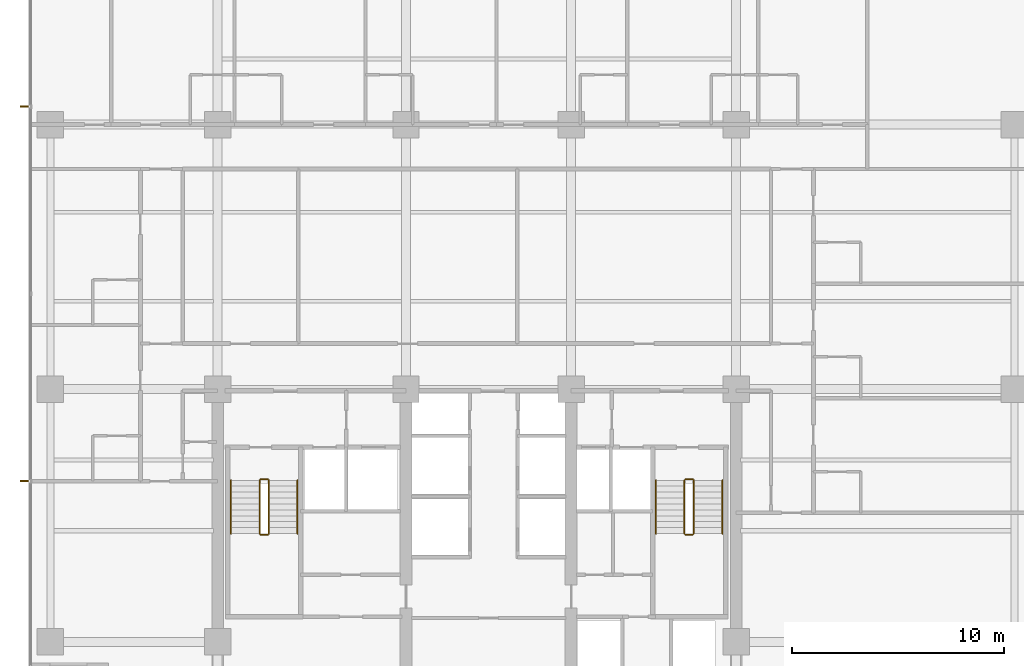
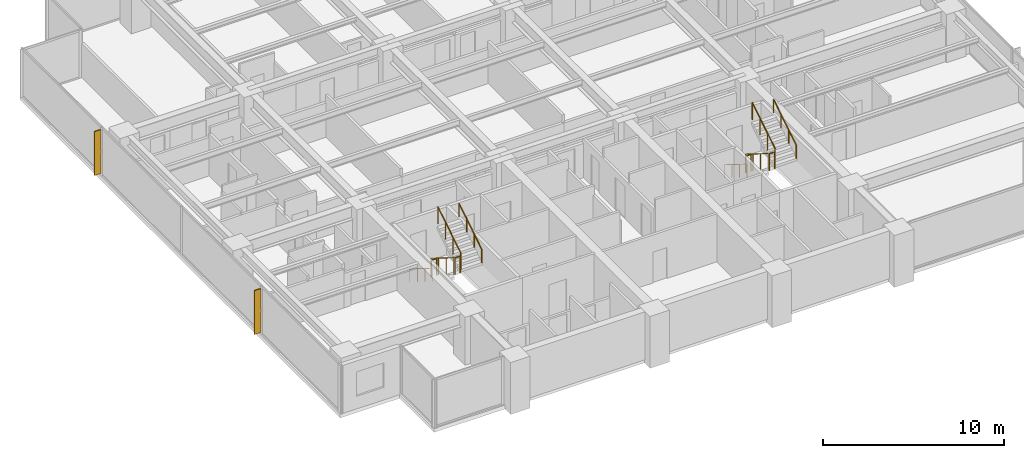
# One storey, part 16 of 17: 12 railings, 2 shading devices.
"""IFC4 building model written with IfcOpenShell, lengths in metres."""

from ifc_helpers import new_model, si_unit, direction, frame, origin, origin_2d, place, context, subcontext, project, spatial, polyline, circle, outline, extrude, material, layer, layer_set, type_object, element, save


model = new_model("IFC4")

# Units and contexts
model_context = context("Model", 3, precision=1e-05, world=origin(), true_north=direction((0.0, 1.0)))
body_context = subcontext(model_context, "Body", "Model", "MODEL_VIEW")
ifc_project = project(units=[si_unit("LENGTHUNIT", "METRE"), si_unit("AREAUNIT", "SQUARE_METRE"), si_unit("VOLUMEUNIT", "CUBIC_METRE"), si_unit("PLANEANGLEUNIT", "RADIAN"), si_unit("MASSUNIT", "GRAM", prefix="KILO")], contexts=[model_context])

# Site, building, storey
site_placement = place(None, origin())
site = spatial("IfcSite", under=ifc_project, at=site_placement, CompositionType="ELEMENT")
building_placement = place(site_placement, origin())
building = spatial("IfcBuilding", under=site, at=building_placement, Name="Qalmaran Belvedere Hotel", CompositionType="ELEMENT")
storey_placement = place(building_placement, frame((0.0, 0.0, 105.699951171875)))
storey = spatial("IfcBuildingStorey", under=building, at=storey_placement, Name="L26", CompositionType="ELEMENT", Elevation=105.699951171875)

# Shading devices
ifc_material_1 = material(Name="Anodised Bronze Aluminium", Category="aluminium")
ifc_layer = layer(ifc_material_1, 0.06494140625, Name="Anodised Bronze Aluminium")
ifc_layer_set = layer_set([ifc_layer], Name="Anodised Bronze Aluminium")
shading_device_type = type_object("IfcShadingDeviceType", Name="FIN-BRNZ-420", PredefinedType="USERDEFINED", material=ifc_layer_set)
shading_device_1_placement = place(storey_placement, frame((0.0, 0.0, 0.16015625)))
element("IfcShadingDevice", 1, at=shading_device_1_placement, inside=storey, type_object=shading_device_type, Name="L26 Bronze Fin 1", ObjectType="FIN", PredefinedType="USERDEFINED", context=body_context, shape_type="SweptSolid", body=[
    extrude(outline(polyline([(11.3798828125, 33.882568359375), (10.9599609375, 33.882568359375), (10.9599609375, 33.8173828125), (11.3798828125, 33.8173828125), (11.3798828125, 33.882568359375)])), origin(), (0.0, 0.0, 1.0), 2.9599609375),
])
shading_device_2_placement = place(storey_placement, frame((0.0, 0.0, 0.16015625)))
element("IfcShadingDevice", 2, at=shading_device_2_placement, inside=storey, type_object=shading_device_type, Name="L26 Bronze Fin 3", ObjectType="FIN", PredefinedType="USERDEFINED", context=body_context, shape_type="SweptSolid", body=[
    extrude(outline(polyline([(11.3798828125, 16.1826171875), (10.9599609375, 16.1826171875), (10.9599609375, 16.117431640625), (11.3798828125, 16.117431640625), (11.3798828125, 16.1826171875)])), origin(), (0.0, 0.0, 1.0), 2.9599609375),
])

# Railings
ifc_material_2 = material(Name="Stainless Steel 1.4401", Category="steel")
railing_type_1 = type_object("IfcRailingType", Name="RLG-STAIR-GUARD-1150", PredefinedType="GUARDRAIL", material=ifc_material_2)
railing_1_placement = place(storey_placement, frame((22.280029296875, 16.18994140625, 0.175048828125)))
element("IfcRailing", 3, at=railing_1_placement, inside=storey, type_object=railing_type_1, Name="L26 ST-1 stair guard 1", PredefinedType="GUARDRAIL", context=body_context, shape_type="SweptSolid", body=[
    extrude(circle(Radius=0.02392578125, at=origin_2d()), frame((0.0, 0.0, 1.1259765625), z_axis=(0.0, -0.848007534815, 0.529984170421), x_axis=(1.0, 0.0, 0.0)), (0.0, 0.0, 1.0), 2.9716796875),
    extrude(circle(Radius=0.02099609375, at=origin_2d()), origin(), (0.0, 0.0, 1.0), 1.101806640625),
    extrude(circle(Radius=0.02099609375, at=origin_2d()), frame((0.0, -0.840087890625, 0.52490234375)), (0.0, 0.0, 1.0), 1.101806640625),
    extrude(circle(Radius=0.02099609375, at=origin_2d()), frame((0.0, -1.679931640625, 1.050048828125)), (0.0, 0.0, 1.0), 1.101806640625),
    extrude(circle(Radius=0.02099609375, at=origin_2d()), frame((0.0, -2.52001953125, 1.574951171875)), (0.0, 0.0, 1.0), 1.101806640625),
])
railing_2_placement = place(storey_placement, frame((22.330078125, 13.6201171875, 1.75)))
element("IfcRailing", 4, at=railing_2_placement, inside=storey, type_object=railing_type_1, Name="L26 ST-1 stair guard 2", PredefinedType="GUARDRAIL", context=body_context, shape_type="SweptSolid", body=[
    extrude(circle(Radius=0.02392578125, at=origin_2d()), frame((0.0, 0.0, 1.1259765625), z_axis=(1.0, 0.0, 0.0), x_axis=(0.0, 1.0, 0.0)), (0.0, 0.0, 1.0), 0.33984375),
    extrude(circle(Radius=0.02099609375, at=origin_2d()), origin(), (0.0, 0.0, 1.0), 1.101806640625),
    extrude(circle(Radius=0.02099609375, at=origin_2d()), frame((0.33984375, 0.0, 0.0)), (0.0, 0.0, 1.0), 1.101806640625),
])
railing_3_placement = place(storey_placement, frame((22.719970703125, 13.669921875, 1.925048828125)))
element("IfcRailing", 5, at=railing_3_placement, inside=storey, type_object=railing_type_1, Name="L26 ST-1 stair guard 3", PredefinedType="GUARDRAIL", context=body_context, shape_type="SweptSolid", body=[
    extrude(circle(Radius=0.02392578125, at=origin_2d()), frame((0.0, 0.0, 1.1259765625), z_axis=(0.0, 0.848007534815, 0.529984170421), x_axis=(-1.0, 0.0, 0.0)), (0.0, 0.0, 1.0), 2.9716796875),
    extrude(circle(Radius=0.02099609375, at=origin_2d()), origin(), (0.0, 0.0, 1.0), 1.101806640625),
    extrude(circle(Radius=0.02099609375, at=origin_2d()), frame((0.0, 0.840087890625, 0.52490234375)), (0.0, 0.0, 1.0), 1.101806640625),
    extrude(circle(Radius=0.02099609375, at=origin_2d()), frame((0.0, 1.679931640625, 1.050048828125)), (0.0, 0.0, 1.0), 1.101806640625),
    extrude(circle(Radius=0.02099609375, at=origin_2d()), frame((0.0, 2.52001953125, 1.574951171875)), (0.0, 0.0, 1.0), 1.101806640625),
])
railing_4_placement = place(storey_placement, frame((22.330078125, 16.239990234375, 0.0)))
element("IfcRailing", 6, at=railing_4_placement, inside=storey, type_object=railing_type_1, Name="L26 ST-1 stair guard 4", PredefinedType="GUARDRAIL", context=body_context, shape_type="SweptSolid", body=[
    extrude(circle(Radius=0.02392578125, at=origin_2d()), frame((0.0, 0.0, 1.1259765625), z_axis=(1.0, 0.0, 0.0), x_axis=(0.0, 1.0, 0.0)), (0.0, 0.0, 1.0), 0.33984375),
    extrude(circle(Radius=0.02099609375, at=origin_2d()), origin(), (0.0, 0.0, 1.0), 1.101806640625),
    extrude(circle(Radius=0.02099609375, at=origin_2d()), frame((0.33984375, 0.0, 0.0)), (0.0, 0.0, 1.0), 1.101806640625),
])
railing_5_placement = place(storey_placement, frame((42.360107421875, 16.18994140625, 0.175048828125)))
element("IfcRailing", 7, at=railing_5_placement, inside=storey, type_object=railing_type_1, Name="L26 ST-2 stair guard 1", PredefinedType="GUARDRAIL", context=body_context, shape_type="SweptSolid", body=[
    extrude(circle(Radius=0.02392578125, at=origin_2d()), frame((0.0, 0.0, 1.1259765625), z_axis=(0.0, -0.848007534815, 0.529984170421), x_axis=(1.0, 0.0, 0.0)), (0.0, 0.0, 1.0), 2.9716796875),
    extrude(circle(Radius=0.02099609375, at=origin_2d()), origin(), (0.0, 0.0, 1.0), 1.101806640625),
    extrude(circle(Radius=0.02099609375, at=origin_2d()), frame((0.0, -0.840087890625, 0.52490234375)), (0.0, 0.0, 1.0), 1.101806640625),
    extrude(circle(Radius=0.02099609375, at=origin_2d()), frame((0.0, -1.679931640625, 1.050048828125)), (0.0, 0.0, 1.0), 1.101806640625),
    extrude(circle(Radius=0.02099609375, at=origin_2d()), frame((0.0, -2.52001953125, 1.574951171875)), (0.0, 0.0, 1.0), 1.101806640625),
])
railing_6_placement = place(storey_placement, frame((42.409912109375, 13.6201171875, 1.75)))
element("IfcRailing", 8, at=railing_6_placement, inside=storey, type_object=railing_type_1, Name="L26 ST-2 stair guard 2", PredefinedType="GUARDRAIL", context=body_context, shape_type="SweptSolid", body=[
    extrude(circle(Radius=0.02392578125, at=origin_2d()), frame((0.0, 0.0, 1.1259765625), z_axis=(1.0, 0.0, 0.0), x_axis=(0.0, 1.0, 0.0)), (0.0, 0.0, 1.0), 0.340087890625),
    extrude(circle(Radius=0.02099609375, at=origin_2d()), origin(), (0.0, 0.0, 1.0), 1.101806640625),
    extrude(circle(Radius=0.02099609375, at=origin_2d()), frame((0.340087890625, 0.0, 0.0)), (0.0, 0.0, 1.0), 1.101806640625),
])
railing_7_placement = place(storey_placement, frame((42.800048828125, 13.669921875, 1.925048828125)))
element("IfcRailing", 9, at=railing_7_placement, inside=storey, type_object=railing_type_1, Name="L26 ST-2 stair guard 3", PredefinedType="GUARDRAIL", context=body_context, shape_type="SweptSolid", body=[
    extrude(circle(Radius=0.02392578125, at=origin_2d()), frame((0.0, 0.0, 1.1259765625), z_axis=(0.0, 0.848007534815, 0.529984170421), x_axis=(-1.0, 0.0, 0.0)), (0.0, 0.0, 1.0), 2.9716796875),
    extrude(circle(Radius=0.02099609375, at=origin_2d()), origin(), (0.0, 0.0, 1.0), 1.101806640625),
    extrude(circle(Radius=0.02099609375, at=origin_2d()), frame((0.0, 0.840087890625, 0.52490234375)), (0.0, 0.0, 1.0), 1.101806640625),
    extrude(circle(Radius=0.02099609375, at=origin_2d()), frame((0.0, 1.679931640625, 1.050048828125)), (0.0, 0.0, 1.0), 1.101806640625),
    extrude(circle(Radius=0.02099609375, at=origin_2d()), frame((0.0, 2.52001953125, 1.574951171875)), (0.0, 0.0, 1.0), 1.101806640625),
])
railing_8_placement = place(storey_placement, frame((42.409912109375, 16.239990234375, 0.0)))
element("IfcRailing", 10, at=railing_8_placement, inside=storey, type_object=railing_type_1, Name="L26 ST-2 stair guard 4", PredefinedType="GUARDRAIL", context=body_context, shape_type="SweptSolid", body=[
    extrude(circle(Radius=0.02392578125, at=origin_2d()), frame((0.0, 0.0, 1.1259765625), z_axis=(1.0, 0.0, 0.0), x_axis=(0.0, 1.0, 0.0)), (0.0, 0.0, 1.0), 0.340087890625),
    extrude(circle(Radius=0.02099609375, at=origin_2d()), origin(), (0.0, 0.0, 1.0), 1.101806640625),
    extrude(circle(Radius=0.02099609375, at=origin_2d()), frame((0.340087890625, 0.0, 0.0)), (0.0, 0.0, 1.0), 1.101806640625),
])
railing_type_2 = type_object("IfcRailingType", Name="RLG-STAIR-HAND-910", PredefinedType="HANDRAIL", material=ifc_material_2)
railing_9_placement = place(storey_placement, frame((20.929931640625, 16.18994140625, 0.175048828125)))
element("IfcRailing", 11, at=railing_9_placement, inside=storey, type_object=railing_type_2, Name="L26 ST-1 stair handrail 1", PredefinedType="HANDRAIL", context=body_context, shape_type="SweptSolid", body=[
    extrude(circle(Radius=0.02392578125, at=origin_2d()), frame((0.0, 0.0, 0.8857421875), z_axis=(0.0, -0.848007534815, 0.529984170421), x_axis=(1.0, 0.0, 0.0)), (0.0, 0.0, 1.0), 2.9716796875),
    extrude(circle(Radius=0.02099609375, at=origin_2d()), origin(), (0.0, 0.0, 1.0), 0.86181640625),
    extrude(circle(Radius=0.02099609375, at=origin_2d()), frame((0.0, -0.840087890625, 0.52490234375)), (0.0, 0.0, 1.0), 0.86181640625),
    extrude(circle(Radius=0.02099609375, at=origin_2d()), frame((0.0, -1.679931640625, 1.050048828125)), (0.0, 0.0, 1.0), 0.86181640625),
    extrude(circle(Radius=0.02099609375, at=origin_2d()), frame((0.0, -2.52001953125, 1.574951171875)), (0.0, 0.0, 1.0), 0.86181640625),
])
railing_10_placement = place(storey_placement, frame((24.070068359375, 13.669921875, 1.925048828125)))
element("IfcRailing", 12, at=railing_10_placement, inside=storey, type_object=railing_type_2, Name="L26 ST-1 stair handrail 2", PredefinedType="HANDRAIL", context=body_context, shape_type="SweptSolid", body=[
    extrude(circle(Radius=0.02392578125, at=origin_2d()), frame((0.0, 0.0, 0.8857421875), z_axis=(0.0, 0.848007534815, 0.529984170421), x_axis=(-1.0, 0.0, 0.0)), (0.0, 0.0, 1.0), 2.9716796875),
    extrude(circle(Radius=0.02099609375, at=origin_2d()), origin(), (0.0, 0.0, 1.0), 0.86181640625),
    extrude(circle(Radius=0.02099609375, at=origin_2d()), frame((0.0, 0.840087890625, 0.52490234375)), (0.0, 0.0, 1.0), 0.86181640625),
    extrude(circle(Radius=0.02099609375, at=origin_2d()), frame((0.0, 1.679931640625, 1.050048828125)), (0.0, 0.0, 1.0), 0.86181640625),
    extrude(circle(Radius=0.02099609375, at=origin_2d()), frame((0.0, 2.52001953125, 1.574951171875)), (0.0, 0.0, 1.0), 0.86181640625),
])
railing_11_placement = place(storey_placement, frame((41.010009765625, 16.18994140625, 0.175048828125)))
element("IfcRailing", 13, at=railing_11_placement, inside=storey, type_object=railing_type_2, Name="L26 ST-2 stair handrail 1", PredefinedType="HANDRAIL", context=body_context, shape_type="SweptSolid", body=[
    extrude(circle(Radius=0.02392578125, at=origin_2d()), frame((0.0, 0.0, 0.8857421875), z_axis=(0.0, -0.848007534815, 0.529984170421), x_axis=(1.0, 0.0, 0.0)), (0.0, 0.0, 1.0), 2.9716796875),
    extrude(circle(Radius=0.02099609375, at=origin_2d()), origin(), (0.0, 0.0, 1.0), 0.86181640625),
    extrude(circle(Radius=0.02099609375, at=origin_2d()), frame((0.0, -0.840087890625, 0.52490234375)), (0.0, 0.0, 1.0), 0.86181640625),
    extrude(circle(Radius=0.02099609375, at=origin_2d()), frame((0.0, -1.679931640625, 1.050048828125)), (0.0, 0.0, 1.0), 0.86181640625),
    extrude(circle(Radius=0.02099609375, at=origin_2d()), frame((0.0, -2.52001953125, 1.574951171875)), (0.0, 0.0, 1.0), 0.86181640625),
])
railing_12_placement = place(storey_placement, frame((44.14990234375, 13.669921875, 1.925048828125)))
element("IfcRailing", 14, at=railing_12_placement, inside=storey, type_object=railing_type_2, Name="L26 ST-2 stair handrail 2", PredefinedType="HANDRAIL", context=body_context, shape_type="SweptSolid", body=[
    extrude(circle(Radius=0.02392578125, at=origin_2d()), frame((0.0, 0.0, 0.8857421875), z_axis=(0.0, 0.848007534815, 0.529984170421), x_axis=(-1.0, 0.0, 0.0)), (0.0, 0.0, 1.0), 2.9716796875),
    extrude(circle(Radius=0.02099609375, at=origin_2d()), origin(), (0.0, 0.0, 1.0), 0.86181640625),
    extrude(circle(Radius=0.02099609375, at=origin_2d()), frame((0.0, 0.840087890625, 0.52490234375)), (0.0, 0.0, 1.0), 0.86181640625),
    extrude(circle(Radius=0.02099609375, at=origin_2d()), frame((0.0, 1.679931640625, 1.050048828125)), (0.0, 0.0, 1.0), 0.86181640625),
    extrude(circle(Radius=0.02099609375, at=origin_2d()), frame((0.0, 2.52001953125, 1.574951171875)), (0.0, 0.0, 1.0), 0.86181640625),
])

save(model, "model.ifc")
